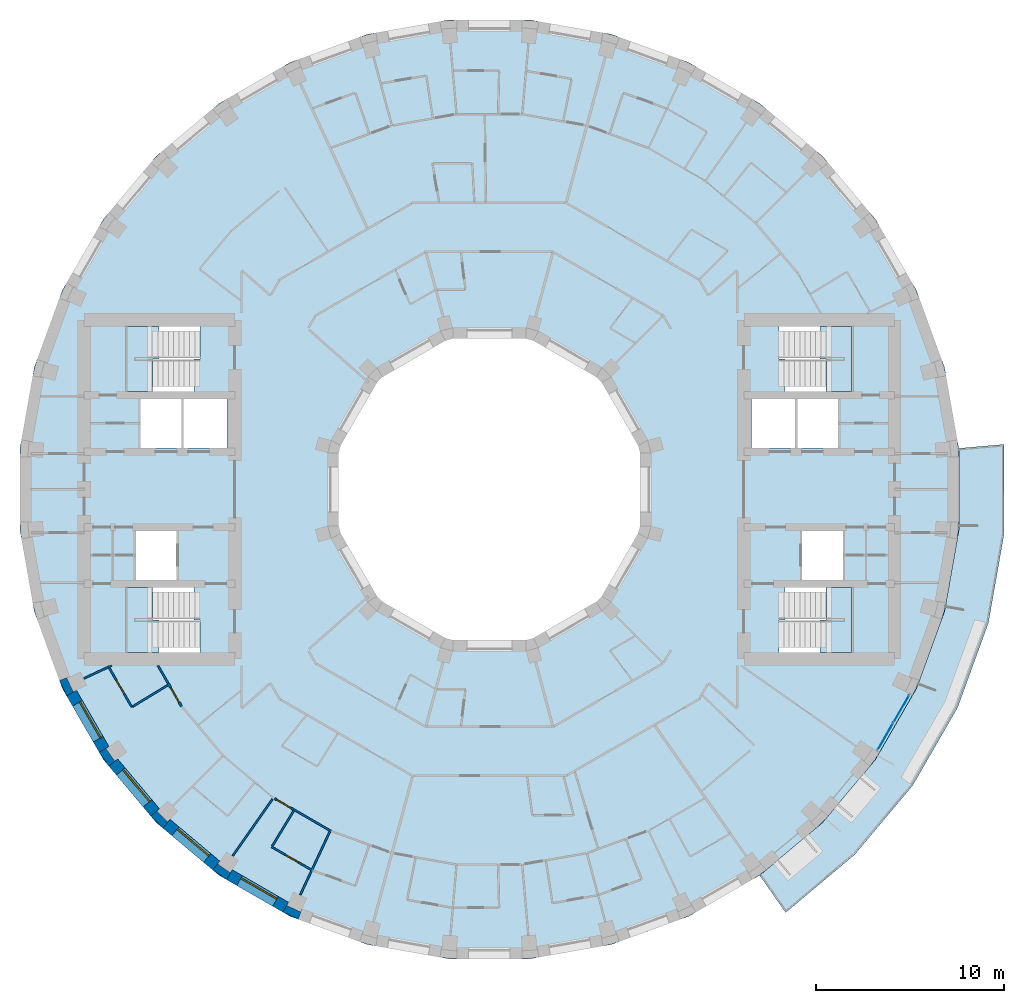
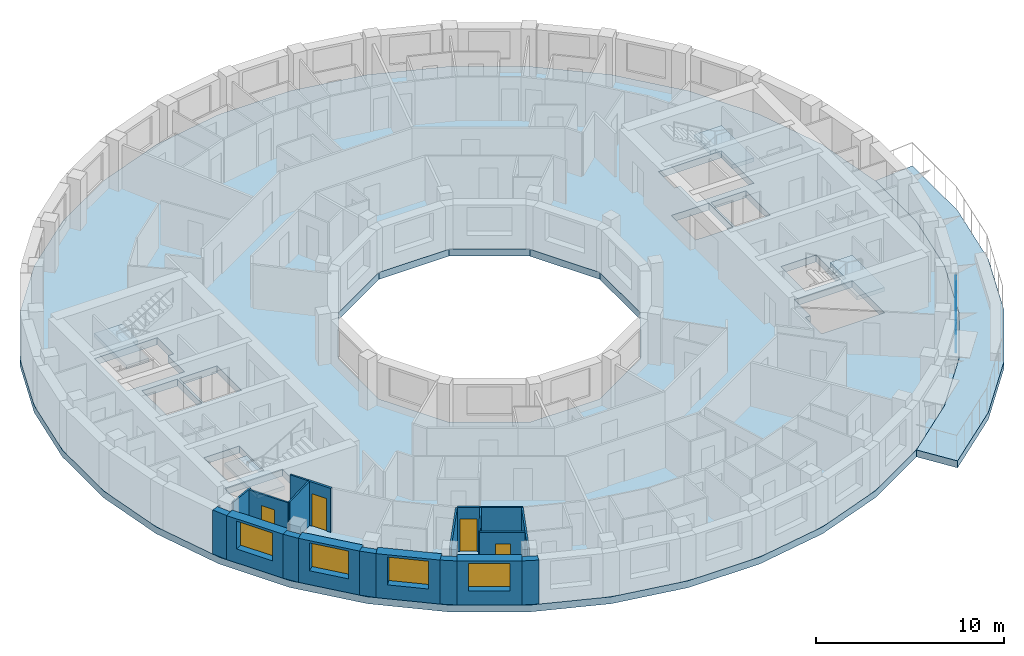
# One storey, part 3 of 14: 20 walls, 6 slabs, 4 doors, 4 plates, 4 windows, 8 openings, 5 elements without a shape of their own.
"""IFC4 building model written with IfcOpenShell, lengths in metres."""

from ifc_helpers import new_model, si_unit, direction, frame, frame_2d, origin, origin_2d, place, context, subcontext, project, spatial, polyline, rectangle, outline, extrude, material, layer, layer_set, type_object, element, fill, aggregate, save


model = new_model("IFC4")

# Units and contexts
model_context = context("Model", 3, precision=1e-05, world=origin(), true_north=direction((0.0, 1.0)))
body_context = subcontext(model_context, "Body", "Model", "MODEL_VIEW")
ifc_project = project(units=[si_unit("LENGTHUNIT", "METRE"), si_unit("AREAUNIT", "SQUARE_METRE"), si_unit("VOLUMEUNIT", "CUBIC_METRE"), si_unit("PLANEANGLEUNIT", "RADIAN"), si_unit("MASSUNIT", "GRAM", prefix="KILO")], contexts=[model_context])

# Site, building, storey
site_placement = place(None, origin())
site = spatial("IfcSite", under=ifc_project, at=site_placement, CompositionType="ELEMENT")
building_placement = place(site_placement, origin())
building = spatial("IfcBuilding", under=site, at=building_placement, Name="Saqina Gate Tower", CompositionType="ELEMENT")
storey_placement = place(building_placement, frame((0.0, 0.0, 170.699951171875)))
storey = spatial("IfcBuildingStorey", under=building, at=storey_placement, Name="L48", CompositionType="ELEMENT", Elevation=170.699951171875)

# Curtain wall, plates
ifc_material_1 = material(Name="Aluminium glazing", Category="aluminium")
ifc_layer_1 = layer(ifc_material_1, 0.159912109375)
ifc_layer_set_1 = layer_set([ifc_layer_1], Name="CWT-4")
curtain_wall_type = type_object("IfcCurtainWallType", Name="CWT-4", PredefinedType="NOTDEFINED", material=ifc_layer_set_1)
curtain_wall_placement = place(storey_placement, origin())
curtain_wall = element("IfcCurtainWall", 1, at=curtain_wall_placement, inside=storey, type_object=curtain_wall_type, Name="Terrace lounge glazing facet 33", PredefinedType="NOTDEFINED")
ifc_material_2 = material(Name="Glass", Category="glass")
ifc_layer_2 = layer(ifc_material_2, 0.028076171875)
ifc_layer_set_2 = layer_set([ifc_layer_2], Name="CWT-4P")
plate_type = type_object("IfcPlateType", Name="CWT-4P", PredefinedType="CURTAIN_PANEL", material=ifc_layer_set_2)
plate_1_placement = place(storey_placement, frame((21.0146484375, -13.111328125, 0.06005859375), z_axis=(0.0, 0.0, 1.0), x_axis=(0.500014364391, 0.866017110341, 0.0)))
plate_1 = element("IfcPlate", 2, at=plate_1_placement, type_object=plate_type, Name="CW4-33 panel 1.1", PredefinedType="CURTAIN_PANEL", context=body_context, shape_type="SweptSolid", body=[
    extrude(rectangle(XDim=1.634765625, YDim=0.028076171875, at=origin_2d()), origin(), (0.0, 0.0, 1.0), 2.31005859375),
])
plate_2_placement = place(storey_placement, frame((21.0146484375, -13.111328125, 2.43017578125), z_axis=(0.0, 0.0, 1.0), x_axis=(0.500014364391, 0.866017110341, 0.0)))
plate_2 = element("IfcPlate", 3, at=plate_2_placement, type_object=plate_type, Name="CW4-33 panel 1.2", PredefinedType="CURTAIN_PANEL", context=body_context, shape_type="SweptSolid", body=[
    extrude(rectangle(XDim=1.634765625, YDim=0.028076171875, at=origin_2d()), origin(), (0.0, 0.0, 1.0), 0.360107421875),
])
plate_3_placement = place(storey_placement, frame((21.862060546875, -11.6435546875, 0.06005859375), z_axis=(0.0, 0.0, 1.0), x_axis=(0.500014364391, 0.866017110341, 0.0)))
plate_3 = element("IfcPlate", 4, at=plate_3_placement, type_object=plate_type, Name="CW4-33 panel 2.1", PredefinedType="CURTAIN_PANEL", context=body_context, shape_type="SweptSolid", body=[
    extrude(rectangle(XDim=1.634765625, YDim=0.028076171875, at=origin_2d()), origin(), (0.0, 0.0, 1.0), 2.31005859375),
])
plate_4_placement = place(storey_placement, frame((21.862060546875, -11.6435546875, 2.43017578125), z_axis=(0.0, 0.0, 1.0), x_axis=(0.500014364391, 0.866017110341, 0.0)))
plate_4 = element("IfcPlate", 5, at=plate_4_placement, type_object=plate_type, Name="CW4-33 panel 2.2", PredefinedType="CURTAIN_PANEL", context=body_context, shape_type="SweptSolid", body=[
    extrude(rectangle(XDim=1.634765625, YDim=0.028076171875, at=origin_2d()), origin(), (0.0, 0.0, 1.0), 0.360107421875),
])
aggregate(curtain_wall, [plate_1, plate_2, plate_3, plate_4])

# Stair, slab
ifc_material_3 = material(Name="Concrete C40/50", Category="concrete")
stair_type = type_object("IfcStairType", Name="EXIT STAIR", PredefinedType="HALF_TURN_STAIR", material=ifc_material_3)
stair_1_placement = place(storey_placement, origin())
stair_1 = element("IfcStair", 6, at=stair_1_placement, inside=storey, type_object=stair_type, Name="EXIT STAIR 1", PredefinedType="HALF_TURN_STAIR")
ifc_material_4 = material(Name="Concrete C40/50", Category="concrete")
ifc_layer_3 = layer(ifc_material_4, 0.25)
ifc_layer_set_3 = layer_set([ifc_layer_3], Name="Concrete C40/50")
slab_type_1 = type_object("IfcSlabType", Name="EXIT STAIR LANDING", PredefinedType="LANDING", material=ifc_layer_set_3)
slab_1_placement = place(storey_placement, frame((0.0, 0.0, 1.400146484375)))
slab_1 = element("IfcSlab", 7, at=slab_1_placement, type_object=slab_type_1, Name="EXIT STAIR 1 LANDING 1", PredefinedType="LANDING", context=body_context, shape_type="SweptSolid", body=[
    extrude(outline(polyline([(19.219970703125, 8.64990234375), (19.219970703125, 5.199951171875), (17.864990234375, 5.199951171875), (17.864990234375, 6.925048828125), (17.534423828125, 6.925048828125), (17.534423828125, 8.64990234375), (17.864990234375, 8.64990234375), (17.8701171875, 8.64990234375), (19.219970703125, 8.64990234375)])), origin(), (0.0, 0.0, 1.0), 0.25),
])
aggregate(stair_1, [slab_1])

stair_2_placement = place(storey_placement, origin())
stair_2 = element("IfcStair", 8, at=stair_2_placement, inside=storey, type_object=stair_type, Name="EXIT STAIR 2", PredefinedType="HALF_TURN_STAIR")
slab_2_placement = place(storey_placement, frame((0.0, 0.0, 1.400146484375)))
slab_2 = element("IfcSlab", 9, at=slab_2_placement, type_object=slab_type_1, Name="EXIT STAIR 2 LANDING 1", PredefinedType="LANDING", context=body_context, shape_type="SweptSolid", body=[
    extrude(outline(polyline([(17.534423828125, -8.64990234375), (17.534423828125, -6.925048828125), (17.864990234375, -6.925048828125), (17.864990234375, -5.199951171875), (19.219970703125, -5.199951171875), (19.219970703125, -8.64990234375), (17.8701171875, -8.64990234375), (17.864990234375, -8.64990234375), (17.534423828125, -8.64990234375)])), origin(), (0.0, 0.0, 1.0), 0.25),
])
aggregate(stair_2, [slab_2])

stair_3_placement = place(storey_placement, origin())
stair_3 = element("IfcStair", 10, at=stair_3_placement, inside=storey, type_object=stair_type, Name="EXIT STAIR 3", PredefinedType="HALF_TURN_STAIR")
slab_3_placement = place(storey_placement, frame((0.0, 0.0, 1.400146484375)))
slab_3 = element("IfcSlab", 11, at=slab_3_placement, type_object=slab_type_1, Name="EXIT STAIR 3 LANDING 1", PredefinedType="LANDING", context=body_context, shape_type="SweptSolid", body=[
    extrude(outline(polyline([(-17.864990234375, 5.199951171875), (-19.219970703125, 5.199951171875), (-19.219970703125, 8.64990234375), (-17.8701171875, 8.64990234375), (-17.864990234375, 8.64990234375), (-17.534423828125, 8.64990234375), (-17.534423828125, 6.925048828125), (-17.864990234375, 6.925048828125), (-17.864990234375, 5.199951171875)])), origin(), (0.0, 0.0, 1.0), 0.25),
])
aggregate(stair_3, [slab_3])

stair_4_placement = place(storey_placement, origin())
stair_4 = element("IfcStair", 12, at=stair_4_placement, inside=storey, type_object=stair_type, Name="EXIT STAIR 4", PredefinedType="HALF_TURN_STAIR")
slab_4_placement = place(storey_placement, frame((0.0, 0.0, 1.400146484375)))
slab_4 = element("IfcSlab", 13, at=slab_4_placement, type_object=slab_type_1, Name="EXIT STAIR 4 LANDING 1", PredefinedType="LANDING", context=body_context, shape_type="SweptSolid", body=[
    extrude(outline(polyline([(-17.534423828125, -6.925048828125), (-17.534423828125, -8.64990234375), (-17.864990234375, -8.64990234375), (-17.8701171875, -8.64990234375), (-19.219970703125, -8.64990234375), (-19.219970703125, -5.199951171875), (-17.864990234375, -5.199951171875), (-17.864990234375, -6.925048828125), (-17.534423828125, -6.925048828125)])), origin(), (0.0, 0.0, 1.0), 0.25),
])
aggregate(stair_4, [slab_4])

# Slabs
ifc_material_5 = material(Name="Concrete C40/50", Category="concrete")
ifc_layer_4 = layer(ifc_material_5, 0.449951171875)
ifc_layer_set_4 = layer_set([ifc_layer_4], Name="Concrete C40/50")
slab_type_2 = type_object("IfcSlabType", Name="STR-POST-TENSIONED FLAT PLATE FLOOR-450", PredefinedType="FLOOR", material=ifc_layer_set_4)
slab_5_placement = place(storey_placement, frame((0.0, 0.0, -0.449951171875)))
element("IfcSlab", 14, at=slab_5_placement, inside=storey, type_object=slab_type_2, Name="L48-SLB01", PredefinedType="FLOOR", context=body_context, shape_type="SweptSolid", body=[
    extrude(outline(polyline([(24.148193359375, -6.470458984375), (24.90478515625, -2.178955078125), (24.90478515625, 2.178955078125), (24.148193359375, 6.470458984375), (22.65771484375, 10.5654296875), (20.478759765625, 14.33935546875), (17.677734375, 17.677734375), (14.33935546875, 20.478759765625), (10.5654296875, 22.65771484375), (6.470458984375, 24.148193359375), (2.178955078125, 24.90478515625), (-2.178955078125, 24.90478515625), (-6.470458984375, 24.148193359375), (-10.5654296875, 22.65771484375), (-14.33935546875, 20.478759765625), (-17.677734375, 17.677734375), (-20.478759765625, 14.33935546875), (-22.65771484375, 10.5654296875), (-24.148193359375, 6.470458984375), (-24.90478515625, 2.178955078125), (-24.90478515625, -2.178955078125), (-24.148193359375, -6.470458984375), (-22.65771484375, -10.5654296875), (-20.478759765625, -14.33935546875), (-17.677734375, -17.677734375), (-14.33935546875, -20.478759765625), (-10.5654296875, -22.65771484375), (-6.470458984375, -24.148193359375), (-2.178955078125, -24.90478515625), (2.178955078125, -24.90478515625), (6.470458984375, -24.148193359375), (10.5654296875, -22.65771484375), (14.33935546875, -20.478759765625), (17.677734375, -17.677734375), (20.478759765625, -14.33935546875), (22.65771484375, -10.5654296875), (24.148193359375, -6.470458984375)]), holes=[polyline([(2.1435546875, 8.0), (5.8564453125, 5.8564453125), (8.0, 2.1435546875), (8.0, -2.1435546875), (5.8564453125, -5.8564453125), (2.1435546875, -8.0), (-2.1435546875, -8.0), (-5.8564453125, -5.8564453125), (-8.0, -2.1435546875), (-8.0, 2.1435546875), (-5.8564453125, 5.8564453125), (-2.1435546875, 8.0), (2.1435546875, 8.0)]), polyline([(-15.35498046875, -8.64990234375), (-19.219970703125, -8.64990234375), (-19.219970703125, -6.925048828125), (-19.219970703125, -5.199951171875), (-15.685546875, -5.199951171875), (-15.685546875, -6.925048828125), (-15.35498046875, -6.925048828125), (-15.35498046875, -8.64990234375)]), polyline([(-16.590087890625, -2.199951171875), (-16.590087890625, -4.800048828125), (-18.75, -4.800048828125), (-18.75, -2.199951171875), (-16.590087890625, -2.199951171875)]), polyline([(-16.340087890625, 4.800048828125), (-16.340087890625, 2.199951171875), (-18.5, 2.199951171875), (-18.5, 4.800048828125), (-16.340087890625, 4.800048828125)]), polyline([(-13.909912109375, 4.800048828125), (-13.909912109375, 2.199951171875), (-16.219970703125, 2.199951171875), (-16.219970703125, 4.800048828125), (-13.909912109375, 4.800048828125)]), polyline([(-19.219970703125, 6.925048828125), (-19.219970703125, 8.64990234375), (-15.35498046875, 8.64990234375), (-15.35498046875, 6.925048828125), (-15.685546875, 6.925048828125), (-15.685546875, 5.199951171875), (-19.219970703125, 5.199951171875), (-19.219970703125, 6.925048828125)]), polyline([(15.35498046875, -8.64990234375), (15.35498046875, -6.925048828125), (15.685546875, -6.925048828125), (15.685546875, -5.199951171875), (19.219970703125, -5.199951171875), (19.219970703125, -6.925048828125), (19.219970703125, -8.64990234375), (15.35498046875, -8.64990234375)]), polyline([(18.75, -2.199951171875), (18.75, -4.800048828125), (16.590087890625, -4.800048828125), (16.590087890625, -2.199951171875), (18.75, -2.199951171875)]), polyline([(16.219970703125, 4.800048828125), (16.219970703125, 2.199951171875), (13.909912109375, 2.199951171875), (13.909912109375, 4.800048828125), (16.219970703125, 4.800048828125)]), polyline([(18.5, 4.800048828125), (18.5, 2.199951171875), (16.340087890625, 2.199951171875), (16.340087890625, 4.800048828125), (18.5, 4.800048828125)]), polyline([(15.685546875, 6.925048828125), (15.35498046875, 6.925048828125), (15.35498046875, 8.64990234375), (19.219970703125, 8.64990234375), (19.219970703125, 6.925048828125), (19.219970703125, 5.199951171875), (15.685546875, 5.199951171875), (15.685546875, 6.925048828125)])]), origin(), (0.0, 0.0, 1.0), 0.449951171875),
])
ifc_material_6 = material(Name="Concrete C40/50", Category="concrete")
ifc_layer_5 = layer(ifc_material_6, 0.449951171875)
ifc_layer_set_5 = layer_set([ifc_layer_5], Name="Concrete C40/50")
slab_type_3 = type_object("IfcSlabType", Name="STR-POST-TENSIONED FLAT PLATE TERRACE-450", PredefinedType="FLOOR", material=ifc_layer_set_5)
slab_6_placement = place(storey_placement, frame((0.0, 0.0, -0.449951171875)))
element("IfcSlab", 15, at=slab_6_placement, inside=storey, type_object=slab_type_3, Name="L48-TRS01", PredefinedType="FLOOR", context=body_context, shape_type="SweptSolid", body=[
    extrude(outline(polyline([(14.33935546875, -20.478759765625), (17.677734375, -17.677734375), (20.478759765625, -14.33935546875), (22.65771484375, -10.5654296875), (24.148193359375, -6.470458984375), (24.90478515625, -2.178955078125), (24.90478515625, 2.178955078125), (27.304931640625, 2.388916015625), (27.304931640625, -2.388916015625), (26.475341796875, -7.093994140625), (24.841064453125, -11.58349609375), (22.452392578125, -15.72119140625), (19.381103515625, -19.381103515625), (15.72119140625, -22.452392578125), (14.33935546875, -20.478759765625)])), origin(), (0.0, 0.0, 1.0), 0.449951171875),
])

# Walls
ifc_material_7 = material(Name="Brick masonry (buff)", Category="masonry")
wall_type_1 = type_object("IfcWallType", Name="BRICK PIER COPING BUFF", PredefinedType="SOLIDWALL", material=ifc_material_7)
wall_1_placement = place(storey_placement, origin())
element("IfcWall", 16, at=wall_1_placement, inside=storey, type_object=wall_type_1, Name="Pier cap L48 column 21", PredefinedType="SOLIDWALL", context=body_context, shape_type="SweptSolid", body=[
    extrude(outline(polyline([(-22.4306640625, -10.958740234375), (-21.9111328125, -10.65869140625), (-22.080810546875, -10.73779296875), (-22.4189453125, -10.0126953125), (-22.249267578125, -9.93359375), (-22.81298828125, -10.138916015625), (-22.4306640625, -10.958740234375)])), origin(), (0.0, 0.0, 1.0), 2.85009765625),
])
wall_2_placement = place(storey_placement, origin())
element("IfcWall", 17, at=wall_2_placement, inside=storey, type_object=wall_type_1, Name="Pier cap L48 column 22", PredefinedType="SOLIDWALL", context=body_context, shape_type="SweptSolid", body=[
    extrude(outline(polyline([(-20.705810546875, -13.9462890625), (-20.18701171875, -14.687255859375), (-19.727294921875, -14.301513671875), (-19.880859375, -14.408935546875), (-20.339599609375, -13.753662109375), (-20.186279296875, -13.646240234375), (-20.705810546875, -13.9462890625)])), origin(), (0.0, 0.0, 1.0), 2.85009765625),
])
wall_3_placement = place(storey_placement, origin())
element("IfcWall", 18, at=wall_3_placement, inside=storey, type_object=wall_type_1, Name="Pier cap L48 column 23", PredefinedType="SOLIDWALL", context=body_context, shape_type="SweptSolid", body=[
    extrude(outline(polyline([(-17.329833984375, -17.969482421875), (-16.944091796875, -17.510009765625), (-17.07666015625, -17.642333984375), (-17.642333984375, -17.07666015625), (-17.510009765625, -16.944091796875), (-17.969482421875, -17.329833984375), (-17.329833984375, -17.969482421875)])), origin(), (0.0, 0.0, 1.0), 2.85009765625),
])
wall_4_placement = place(storey_placement, origin())
element("IfcWall", 19, at=wall_4_placement, inside=storey, type_object=wall_type_1, Name="Pier cap L48 column 24", PredefinedType="SOLIDWALL", context=body_context, shape_type="SweptSolid", body=[
    extrude(outline(polyline([(-14.687255859375, -20.18701171875), (-13.9462890625, -20.705810546875), (-13.646240234375, -20.186279296875), (-13.753662109375, -20.339599609375), (-14.408935546875, -19.880859375), (-14.301513671875, -19.727294921875), (-14.687255859375, -20.18701171875)])), origin(), (0.0, 0.0, 1.0), 2.85009765625),
])
wall_5_placement = place(storey_placement, origin())
element("IfcWall", 20, at=wall_5_placement, inside=storey, type_object=wall_type_1, Name="Pier cap L48 column 25", PredefinedType="SOLIDWALL", context=body_context, shape_type="SweptSolid", body=[
    extrude(outline(polyline([(-10.138916015625, -22.81298828125), (-9.93359375, -22.249267578125), (-10.0126953125, -22.4189453125), (-10.73779296875, -22.080810546875), (-10.65869140625, -21.9111328125), (-10.958740234375, -22.4306640625), (-10.138916015625, -22.81298828125)])), origin(), (0.0, 0.0, 1.0), 2.85009765625),
])

# Wall, opening, window
ifc_material_8 = material(Name="Brick masonry (buff)", Category="masonry")
ifc_layer_6 = layer(ifc_material_8, 0.60009765625)
ifc_layer_set_6 = layer_set([ifc_layer_6], Name="FW-BRICK-BUFF")
wall_type_2 = type_object("IfcWallType", Name="FW-BRICK-BUFF", PredefinedType="SOLIDWALL", material=ifc_layer_set_6)
wall_6_placement = place(storey_placement, frame((-22.1708984375, -10.80859375, 0.0), z_axis=(0.0, 0.0, 1.0), x_axis=(0.499998129301, -0.86602648383, 0.0)))
wall_6 = element("IfcWall", 21, at=wall_6_placement, inside=storey, type_object=wall_type_2, Name="Facade wall L48 facet 21", PredefinedType="SOLIDWALL", context=body_context, shape_type="SweptSolid", body=[
    extrude(rectangle(XDim=3.44970703125, YDim=0.60009765625, at=frame_2d((1.724853515625, 0.0))), origin(), (0.0, 0.0, 1.0), 2.85009765625),
])
opening_1_placement = place(wall_6_placement, frame((0.625, 0.0, 0.89990234375)))
opening_1 = element("IfcOpeningElement", 22, at=opening_1_placement, cuts=wall_6, Name="Opening G14-W14", PredefinedType="OPENING", context=body_context, shape_type="SweptSolid", body=[
    extrude(rectangle(XDim=2.199951171875, YDim=1.800048828125, at=frame_2d((1.10009765625, 0.89990234375))), frame((0.0, 0.31201171875, 0.0), z_axis=(0.0, -1.0, 0.0), x_axis=(1.0, 0.0, 0.0)), (0.0, 0.0, 1.0), 0.6240234375),
])
ifc_material_9 = material(Name="Aluminium glazing", Category="aluminium")
window_type = type_object("IfcWindowType", Name="WN-C", PartitioningType="SINGLE_PANEL", PredefinedType="WINDOW", material=ifc_material_9)
window_1_placement = place(opening_1_placement, origin())
window_1 = element("IfcWindow", 23, at=window_1_placement, inside=storey, type_object=window_type, Name="Window L48 facet 21", OverallHeight=1.800048828125, OverallWidth=2.199951171875, PartitioningType="SINGLE_PANEL", PredefinedType="WINDOW", context=body_context, shape_type="SweptSolid", body=[
    extrude(rectangle(XDim=2.199951171875, YDim=1.800048828125, at=frame_2d((1.10009765625, 0.89990234375))), frame((0.0, 0.179931640625, 0.0), z_axis=(0.0, -1.0, 0.0), x_axis=(1.0, 0.0, 0.0)), (0.0, 0.0, 1.0), 0.06005859375),
])
fill(opening_1, window_1)

wall_7_placement = place(storey_placement, frame((-19.95703125, -14.494384765625, 0.0), z_axis=(0.0, 0.0, 1.0), x_axis=(0.642770398358, -0.766058884809, 0.0)))
wall_7 = element("IfcWall", 24, at=wall_7_placement, inside=storey, type_object=wall_type_2, Name="Facade wall L48 facet 22", PredefinedType="SOLIDWALL", context=body_context, shape_type="SweptSolid", body=[
    extrude(rectangle(XDim=3.449462890625, YDim=0.60009765625, at=frame_2d((1.724609375, 0.0))), origin(), (0.0, 0.0, 1.0), 2.85009765625),
])
opening_2_placement = place(wall_7_placement, frame((0.625, 0.0, 0.89990234375)))
opening_2 = element("IfcOpeningElement", 25, at=opening_2_placement, cuts=wall_7, Name="Opening G14-W15", PredefinedType="OPENING", context=body_context, shape_type="SweptSolid", body=[
    extrude(rectangle(XDim=2.199951171875, YDim=1.800048828125, at=frame_2d((1.10009765625, 0.89990234375))), frame((0.0, 0.31201171875, 0.0), z_axis=(0.0, -1.0, 0.0), x_axis=(1.0, 0.0, 0.0)), (0.0, 0.0, 1.0), 0.6240234375),
])
window_2_placement = place(opening_2_placement, origin())
window_2 = element("IfcWindow", 26, at=window_2_placement, inside=storey, type_object=window_type, Name="Window L48 facet 22", OverallHeight=1.800048828125, OverallWidth=2.199951171875, PartitioningType="SINGLE_PANEL", PredefinedType="WINDOW", context=body_context, shape_type="SweptSolid", body=[
    extrude(rectangle(XDim=2.199951171875, YDim=1.800048828125, at=frame_2d((1.10009765625, 0.89990234375))), frame((0.0, 0.179931640625, 0.0), z_axis=(0.0, -1.0, 0.0), x_axis=(1.0, 0.0, 0.0)), (0.0, 0.0, 1.0), 0.06005859375),
])
fill(opening_2, window_2)

wall_8_placement = place(storey_placement, frame((-17.136962890625, -17.73974609375, 0.0), z_axis=(0.0, 0.0, 1.0), x_axis=(0.766058884809, -0.642770398358, 0.0)))
wall_8 = element("IfcWall", 27, at=wall_8_placement, inside=storey, type_object=wall_type_2, Name="Facade wall L48 facet 23", PredefinedType="SOLIDWALL", context=body_context, shape_type="SweptSolid", body=[
    extrude(rectangle(XDim=3.449462890625, YDim=0.60009765625, at=frame_2d((1.724609375, 0.0))), origin(), (0.0, 0.0, 1.0), 2.85009765625),
])
opening_3_placement = place(wall_8_placement, frame((0.625, 0.0, 0.89990234375)))
opening_3 = element("IfcOpeningElement", 28, at=opening_3_placement, cuts=wall_8, Name="Opening G14-W16", PredefinedType="OPENING", context=body_context, shape_type="SweptSolid", body=[
    extrude(rectangle(XDim=2.199951171875, YDim=1.800048828125, at=frame_2d((1.10009765625, 0.89990234375))), frame((0.0, 0.31201171875, 0.0), z_axis=(0.0, -1.0, 0.0), x_axis=(1.0, 0.0, 0.0)), (0.0, 0.0, 1.0), 0.6240234375),
])
window_3_placement = place(opening_3_placement, origin())
window_3 = element("IfcWindow", 29, at=window_3_placement, inside=storey, type_object=window_type, Name="Window L48 facet 23", OverallHeight=1.800048828125, OverallWidth=2.199951171875, PartitioningType="SINGLE_PANEL", PredefinedType="WINDOW", context=body_context, shape_type="SweptSolid", body=[
    extrude(rectangle(XDim=2.199951171875, YDim=1.800048828125, at=frame_2d((1.10009765625, 0.89990234375))), frame((0.0, 0.179931640625, 0.0), z_axis=(0.0, -1.0, 0.0), x_axis=(1.0, 0.0, 0.0)), (0.0, 0.0, 1.0), 0.06005859375),
])
fill(opening_3, window_3)

wall_9_placement = place(storey_placement, frame((-13.796142578125, -20.446044921875, 0.0), z_axis=(0.0, 0.0, 1.0), x_axis=(0.86602648383, -0.499998129301, 0.0)))
wall_9 = element("IfcWall", 30, at=wall_9_placement, inside=storey, type_object=wall_type_2, Name="Facade wall L48 facet 24", PredefinedType="SOLIDWALL", context=body_context, shape_type="SweptSolid", body=[
    extrude(rectangle(XDim=3.44970703125, YDim=0.60009765625, at=frame_2d((1.724853515625, 0.0))), origin(), (0.0, 0.0, 1.0), 2.85009765625),
])
opening_4_placement = place(wall_9_placement, frame((0.625, 0.0, 0.89990234375)))
opening_4 = element("IfcOpeningElement", 31, at=opening_4_placement, cuts=wall_9, Name="Opening G14-W17", PredefinedType="OPENING", context=body_context, shape_type="SweptSolid", body=[
    extrude(rectangle(XDim=2.199951171875, YDim=1.800048828125, at=frame_2d((1.10009765625, 0.89990234375))), frame((0.0, 0.31201171875, 0.0), z_axis=(0.0, -1.0, 0.0), x_axis=(1.0, 0.0, 0.0)), (0.0, 0.0, 1.0), 0.6240234375),
])
window_4_placement = place(opening_4_placement, origin())
window_4 = element("IfcWindow", 32, at=window_4_placement, inside=storey, type_object=window_type, Name="Window L48 facet 24", OverallHeight=1.800048828125, OverallWidth=2.199951171875, PartitioningType="SINGLE_PANEL", PredefinedType="WINDOW", context=body_context, shape_type="SweptSolid", body=[
    extrude(rectangle(XDim=2.199951171875, YDim=1.800048828125, at=frame_2d((1.10009765625, 0.89990234375))), frame((0.0, 0.179931640625, 0.0), z_axis=(0.0, -1.0, 0.0), x_axis=(1.0, 0.0, 0.0)), (0.0, 0.0, 1.0), 0.06005859375),
])
fill(opening_4, window_4)

# Wall, opening, door
ifc_material_10 = material(Name="Gypsum board on steel studs, 100 mm", Category="steel")
ifc_layer_7 = layer(ifc_material_10, 0.10009765625)
ifc_layer_set_7 = layer_set([ifc_layer_7], Name="PARTITION 100")
wall_type_3 = type_object("IfcWallType", Name="PARTITION 100", PredefinedType="PARTITIONING", material=ifc_layer_set_7)
wall_10_placement = place(storey_placement, frame((-20.175537109375, -9.46435546875, 0.0), z_axis=(0.0, 0.0, 1.0), x_axis=(0.499824847066, -0.866126504764, 0.0)))
wall_10 = element("IfcWall", 33, at=wall_10_placement, inside=storey, type_object=wall_type_3, Name="PARTITION PW3-20", PredefinedType="PARTITIONING", context=body_context, shape_type="SweptSolid", body=[
    extrude(rectangle(XDim=2.407958984375, YDim=0.10009765625, at=frame_2d((1.2041015625, 0.0))), origin(), (0.0, 0.0, 1.0), 2.85009765625),
])
opening_5_placement = place(wall_10_placement, frame((0.778076171875, 0.0, 0.0)))
opening_5 = element("IfcOpeningElement", 34, at=opening_5_placement, cuts=wall_10, Name="Opening G14-D31", PredefinedType="OPENING", context=body_context, shape_type="SweptSolid", body=[
    extrude(rectangle(XDim=0.800048828125, YDim=2.10009765625, at=frame_2d((0.39990234375, 1.050048828125))), frame((0.0, 0.06201171875, 0.0), z_axis=(0.0, -1.0, 0.0), x_axis=(1.0, 0.0, 0.0)), (0.0, 0.0, 1.0), 0.1240234375),
])
ifc_material_11 = material(Name="Timber door leaf, 800 mm", Category="wood")
door_type_1 = type_object("IfcDoorType", Name="DOOR 800 TIMBER", OperationType="SINGLE_SWING_LEFT", PredefinedType="DOOR", material=ifc_material_11)
door_1_placement = place(opening_5_placement, frame((0.800048828125, 0.0, 0.0), z_axis=(0.0, 0.0, 1.0), x_axis=(-1.0, 0.0, 0.0)))
door_1 = element("IfcDoor", 35, at=door_1_placement, inside=storey, type_object=door_type_1, Name="DOOR G14-D31", OperationType="SINGLE_SWING_RIGHT", OverallHeight=2.10009765625, OverallWidth=0.800048828125, PredefinedType="DOOR", context=body_context, shape_type="SweptSolid", body=[
    extrude(rectangle(XDim=0.800048828125, YDim=2.10009765625, at=frame_2d((0.39990234375, 1.050048828125))), frame((0.0, 0.02490234375, 0.0), z_axis=(0.0, -1.0, 0.0), x_axis=(1.0, 0.0, 0.0)), (0.0, 0.0, 1.0), 0.050048828125),
])
fill(opening_5, door_1)

# Walls
wall_11_placement = place(storey_placement, frame((-17.5859375, -9.35009765625, 0.0), z_axis=(0.0, 0.0, 1.0), x_axis=(0.499902521513, -0.866081675701, 0.0)))
element("IfcWall", 36, at=wall_11_placement, inside=storey, type_object=wall_type_3, Name="PARTITION PW3-21", PredefinedType="PARTITIONING", context=body_context, shape_type="SweptSolid", body=[
    extrude(rectangle(XDim=1.095458984375, YDim=0.10009765625, at=frame_2d((0.5478515625, 0.0))), origin(), (0.0, 0.0, 1.0), 2.85009765625),
])
wall_12_placement = place(storey_placement, frame((-10.39453125, -16.97900390625, 0.0), z_axis=(0.0, 0.0, 1.0), x_axis=(0.86526186487, -0.501320162373, 0.0)))
element("IfcWall", 37, at=wall_12_placement, inside=storey, type_object=wall_type_3, Name="PARTITION PW3-34", PredefinedType="PARTITIONING", context=body_context, shape_type="SweptSolid", body=[
    extrude(rectangle(XDim=2.304931640625, YDim=0.10009765625, at=frame_2d((1.15234375, 0.0))), origin(), (0.0, 0.0, 1.0), 2.85009765625),
])

# Wall, opening, door
wall_13_placement = place(storey_placement, frame((-11.550048828125, -18.971923828125, 0.0), z_axis=(0.0, 0.0, 1.0), x_axis=(0.866140030745, -0.499801407703, 0.0)))
wall_13 = element("IfcWall", 38, at=wall_13_placement, inside=storey, type_object=wall_type_3, Name="PARTITION PW3-36", PredefinedType="PARTITIONING", context=body_context, shape_type="SweptSolid", body=[
    extrude(rectangle(XDim=2.4091796875, YDim=0.10009765625, at=frame_2d((1.20458984375, 0.0))), origin(), (0.0, 0.0, 1.0), 2.85009765625),
])
opening_6_placement = place(wall_13_placement, frame((0.82958984375, 0.0, 0.0)))
opening_6 = element("IfcOpeningElement", 39, at=opening_6_placement, cuts=wall_13, Name="Opening G14-D39", PredefinedType="OPENING", context=body_context, shape_type="SweptSolid", body=[
    extrude(rectangle(XDim=0.800048828125, YDim=2.10009765625, at=frame_2d((0.39990234375, 1.050048828125))), frame((0.0, 0.06201171875, 0.0), z_axis=(0.0, -1.0, 0.0), x_axis=(1.0, 0.0, 0.0)), (0.0, 0.0, 1.0), 0.1240234375),
])
door_2_placement = place(opening_6_placement, frame((0.800048828125, 0.0, 0.0), z_axis=(0.0, 0.0, 1.0), x_axis=(-1.0, 0.0, 0.0)))
door_2 = element("IfcDoor", 40, at=door_2_placement, inside=storey, type_object=door_type_1, Name="DOOR G14-D39", OperationType="SINGLE_SWING_LEFT", OverallHeight=2.10009765625, OverallWidth=0.800048828125, PredefinedType="DOOR", context=body_context, shape_type="SweptSolid", body=[
    extrude(rectangle(XDim=0.800048828125, YDim=2.10009765625, at=frame_2d((0.39990234375, 1.050048828125))), frame((0.0, 0.02490234375, 0.0), z_axis=(0.0, -1.0, 0.0), x_axis=(1.0, 0.0, 0.0)), (0.0, 0.0, 1.0), 0.050048828125),
])
fill(opening_6, door_2)

# Walls
wall_14_placement = place(storey_placement, frame((-21.515625, -10.033203125, 0.0), z_axis=(0.0, 0.0, 1.0), x_axis=(0.906156125341, 0.422943349051, 0.0)))
element("IfcWall", 41, at=wall_14_placement, inside=storey, type_object=wall_type_3, Name="PARTITION PW3-67", PredefinedType="PARTITIONING", context=body_context, shape_type="SweptSolid", body=[
    extrude(rectangle(XDim=1.6162109375, YDim=0.10009765625, at=frame_2d((0.80810546875, 0.0))), origin(), (0.0, 0.0, 1.0), 2.85009765625),
])
wall_15_placement = place(storey_placement, frame((-18.927734375, -11.52294921875, 0.0), z_axis=(0.0, 0.0, 1.0), x_axis=(0.854045436393, 0.520198416545, 0.0)))
element("IfcWall", 42, at=wall_15_placement, inside=storey, type_object=wall_type_3, Name="PARTITION PW3-73", PredefinedType="PARTITIONING", context=body_context, shape_type="SweptSolid", body=[
    extrude(rectangle(XDim=2.1865234375, YDim=0.10009765625, at=frame_2d((1.09326171875, 0.0))), origin(), (0.0, 0.0, 1.0), 2.85009765625),
])
wall_16_placement = place(storey_placement, frame((-13.616943359375, -19.446533203125, 0.0), z_axis=(0.0, 0.0, 1.0), x_axis=(0.573515531974, 0.819194686619, 0.0)))
element("IfcWall", 43, at=wall_16_placement, inside=storey, type_object=wall_type_3, Name="PARTITION PW3-88", PredefinedType="PARTITIONING", context=body_context, shape_type="SweptSolid", body=[
    extrude(rectangle(XDim=3.69677734375, YDim=0.10009765625, at=frame_2d((1.848388671875, 0.0))), origin(), (0.0, 0.0, 1.0), 2.85009765625),
])
wall_17_placement = place(storey_placement, frame((-11.52392578125, -18.92919921875, 0.0), z_axis=(0.0, 0.0, 1.0), x_axis=(0.520291802012, 0.853988548377, 0.0)))
element("IfcWall", 44, at=wall_17_placement, inside=storey, type_object=wall_type_3, Name="PARTITION PW3-91", PredefinedType="PARTITIONING", context=body_context, shape_type="SweptSolid", body=[
    extrude(rectangle(XDim=2.20068359375, YDim=0.10009765625, at=frame_2d((1.100341796875, 0.0))), origin(), (0.0, 0.0, 1.0), 2.85009765625),
])
wall_18_placement = place(storey_placement, frame((-10.03369140625, -21.515380859375, 0.0), z_axis=(0.0, 0.0, 1.0), x_axis=(0.423040405982, 0.906110818226, 0.0)))
element("IfcWall", 45, at=wall_18_placement, inside=storey, type_object=wall_type_3, Name="PARTITION PW3-93", PredefinedType="PARTITIONING", context=body_context, shape_type="SweptSolid", body=[
    extrude(rectangle(XDim=3.708984375, YDim=0.10009765625, at=frame_2d((1.8544921875, 0.0))), origin(), (0.0, 0.0, 1.0), 2.85009765625),
])

# Wall, opening, door
ifc_material_12 = material(Name="Gypsum board on steel studs, 125 mm, fire rated", Category="steel")
ifc_layer_8 = layer(ifc_material_12, 0.125)
ifc_layer_set_8 = layer_set([ifc_layer_8], Name="PARTITION EI 30 125")
wall_type_4 = type_object("IfcWallType", Name="PARTITION EI 30 125", PredefinedType="PARTITIONING", material=ifc_layer_set_8)
wall_19_placement = place(storey_placement, frame((-17.038330078125, -10.298828125, 0.0), z_axis=(0.0, 0.0, 1.0), x_axis=(0.500147619332, -0.865940158947, 0.0)))
wall_19 = element("IfcWall", 46, at=wall_19_placement, inside=storey, type_object=wall_type_4, Name="PARTITION PW1-01", PredefinedType="PARTITIONING", context=body_context, shape_type="SweptSolid", body=[
    extrude(rectangle(XDim=1.408203125, YDim=0.125, at=frame_2d((0.7041015625, 0.0))), origin(), (0.0, 0.0, 1.0), 2.85009765625),
])
opening_7_placement = place(wall_19_placement, frame((0.2529296875, 0.0, 0.0)))
opening_7 = element("IfcOpeningElement", 47, at=opening_7_placement, cuts=wall_19, Name="Opening G14-D32", PredefinedType="OPENING", context=body_context, shape_type="SweptSolid", body=[
    extrude(rectangle(XDim=0.89990234375, YDim=2.10009765625, at=frame_2d((0.449951171875, 1.050048828125))), frame((0.0, 0.074462890625, 0.0), z_axis=(0.0, -1.0, 0.0), x_axis=(1.0, 0.0, 0.0)), (0.0, 0.0, 1.0), 0.14892578125),
])
ifc_material_13 = material(Name="Fire door leaf EI 30, 900 mm")
door_type_2 = type_object("IfcDoorType", Name="DOOR 900 EI 30", OperationType="SINGLE_SWING_LEFT", PredefinedType="DOOR", material=ifc_material_13)
door_3_placement = place(opening_7_placement, frame((0.89990234375, 0.0, 0.0), z_axis=(0.0, 0.0, 1.0), x_axis=(-1.0, 0.0, 0.0)))
door_3 = element("IfcDoor", 48, at=door_3_placement, inside=storey, type_object=door_type_2, Name="DOOR G14-D32", OperationType="SINGLE_SWING_RIGHT", OverallHeight=2.10009765625, OverallWidth=0.89990234375, PredefinedType="DOOR", context=body_context, shape_type="SweptSolid", body=[
    extrude(rectangle(XDim=0.89990234375, YDim=2.10009765625, at=frame_2d((0.449951171875, 1.050048828125))), frame((0.0, 0.02490234375, 0.0), z_axis=(0.0, -1.0, 0.0), x_axis=(1.0, 0.0, 0.0)), (0.0, 0.0, 1.0), 0.050048828125),
])
fill(opening_7, door_3)

wall_20_placement = place(storey_placement, frame((-11.406982421875, -16.398193359375, 0.0), z_axis=(0.0, 0.0, 1.0), x_axis=(0.865955664968, -0.500120771724, 0.0)))
wall_20 = element("IfcWall", 49, at=wall_20_placement, inside=storey, type_object=wall_type_4, Name="PARTITION PW1-15", PredefinedType="PARTITIONING", context=body_context, shape_type="SweptSolid", body=[
    extrude(rectangle(XDim=1.167236328125, YDim=0.125, at=frame_2d((0.58349609375, 0.0))), origin(), (0.0, 0.0, 1.0), 2.85009765625),
])
opening_8_placement = place(wall_20_placement, frame((0.127197265625, 0.0, 0.0)))
opening_8 = element("IfcOpeningElement", 50, at=opening_8_placement, cuts=wall_20, Name="Opening G14-D37", PredefinedType="OPENING", context=body_context, shape_type="SweptSolid", body=[
    extrude(rectangle(XDim=0.89990234375, YDim=2.10009765625, at=frame_2d((0.449951171875, 1.050048828125))), frame((0.0, 0.074462890625, 0.0), z_axis=(0.0, -1.0, 0.0), x_axis=(1.0, 0.0, 0.0)), (0.0, 0.0, 1.0), 0.14892578125),
])
door_4_placement = place(opening_8_placement, origin())
door_4 = element("IfcDoor", 51, at=door_4_placement, inside=storey, type_object=door_type_2, Name="DOOR G14-D37", OperationType="SINGLE_SWING_LEFT", OverallHeight=2.10009765625, OverallWidth=0.89990234375, PredefinedType="DOOR", context=body_context, shape_type="SweptSolid", body=[
    extrude(rectangle(XDim=0.89990234375, YDim=2.10009765625, at=frame_2d((0.449951171875, 1.050048828125))), frame((0.0, 0.02490234375, 0.0), z_axis=(0.0, -1.0, 0.0), x_axis=(1.0, 0.0, 0.0)), (0.0, 0.0, 1.0), 0.050048828125),
])
fill(opening_8, door_4)

save(model, "model.ifc")
